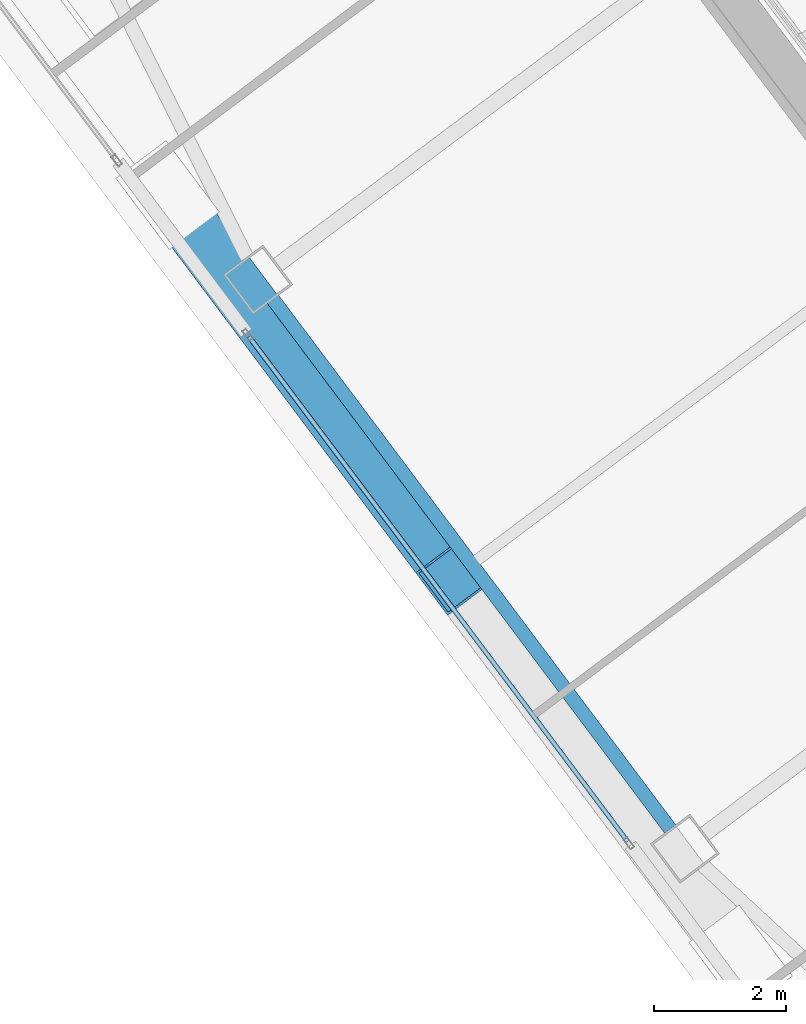
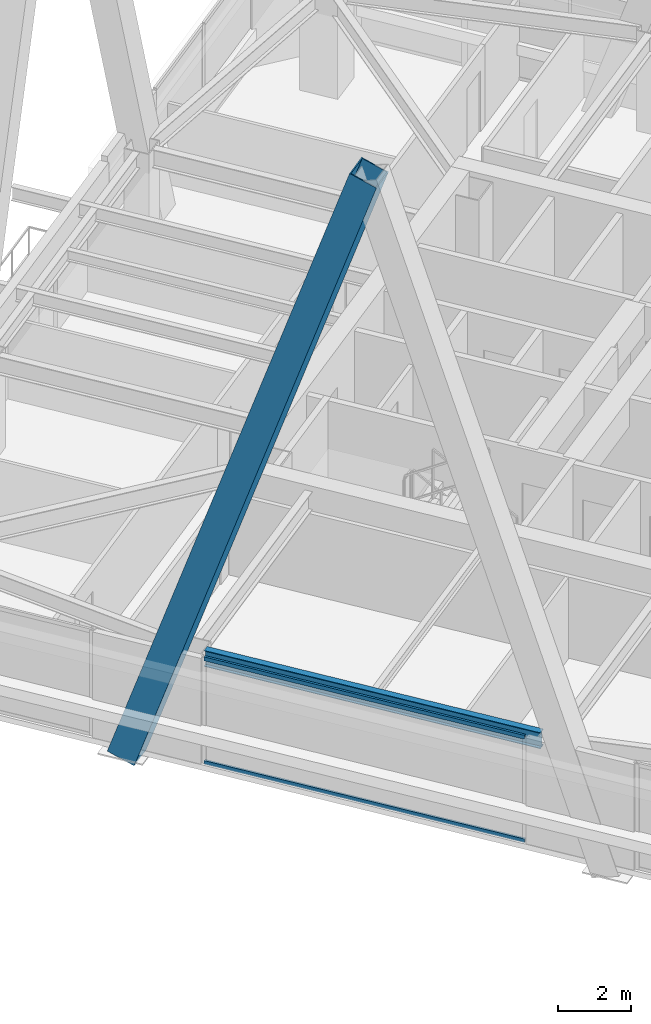
# One storey, part 24 of 55: 3 members, 1 beam, 1 element without a shape of its own.
"""IFC4 building model written with IfcOpenShell, lengths in metres."""

from ifc_helpers import new_model, si_unit, direction, frame, origin, origin_2d, place, context, subcontext, project, spatial, hollow_rectangle, i_section, extrude, material, material_profile, profile_set, type_object, element, aggregate, save


model = new_model("IFC4")

# Units and contexts
model_context = context("Model", 3, precision=1e-05, world=origin(), true_north=direction((0.0, 1.0)))
body_context = subcontext(model_context, "Body", "Model", "MODEL_VIEW")
ifc_project = project(units=[si_unit("LENGTHUNIT", "METRE"), si_unit("AREAUNIT", "SQUARE_METRE"), si_unit("VOLUMEUNIT", "CUBIC_METRE"), si_unit("PLANEANGLEUNIT", "RADIAN"), si_unit("MASSUNIT", "GRAM", prefix="KILO")], contexts=[model_context])

# Site, building, storey
site_placement = place(None, origin())
site = spatial("IfcSite", under=ifc_project, at=site_placement, CompositionType="ELEMENT")
building_placement = place(site_placement, origin())
building = spatial("IfcBuilding", under=site, at=building_placement, Name="Tashvorn Skyway Center", CompositionType="ELEMENT")
storey_placement = place(building_placement, frame((0.0, 0.0, 178.300048828125)))
storey = spatial("IfcBuildingStorey", under=building, at=storey_placement, Name="L48", CompositionType="ELEMENT", Elevation=178.300048828125)

# Beam
ifc_material_1 = material(Name="Steel ASTM A992 Grade 50", Category="steel")
ifc_material_profile_1 = material_profile(ifc_material_1, i_section(OverallWidth=0.2109375, OverallDepth=0.5390625, WebThickness=0.01171875, FlangeThickness=0.018798828125, at=origin_2d()), Name="W21X73")
ifc_profile_set_1 = profile_set([ifc_material_profile_1], Name="Steel ASTM A992 Grade 50")
beam_type = type_object("IfcBeamType", Name="BM-SPANDREL-W21X73", PredefinedType="SPANDREL", material=ifc_profile_set_1)
beam_placement = place(storey_placement, frame((98.06201171875, 26.333984375, 3.100341796875), z_axis=(0.599988351091, -0.800008736549, 0.0), x_axis=(0.800008736549, 0.599988351091, 0.0)))
element("IfcBeam", 1, at=beam_placement, inside=storey, type_object=beam_type, Name="Tower 2 L48 Spandrel Beam 11", PredefinedType="SPANDREL", context=body_context, shape_type="SweptSolid", body=[
    extrude(i_section(OverallWidth=0.2109375, OverallDepth=0.5390625, WebThickness=0.01171875, FlangeThickness=0.018798828125, at=origin_2d()), origin(), (0.0, 0.0, 1.0), 10.06005859375),
])

# Curtain wall, members
ifc_material_2 = material(Name="Thermally broken bronze-anodized aluminium 6063-T6", Category="aluminium")
curtain_wall_type = type_object("IfcCurtainWallType", Name="CW-CW-Z4", PredefinedType="NOTDEFINED", material=ifc_material_2)
curtain_wall_placement = place(storey_placement, origin())
curtain_wall = element("IfcCurtainWall", 2, at=curtain_wall_placement, inside=storey, type_object=curtain_wall_type, Name="Tower 2 L48 West Unitised Curtain Wall Glazing Group 2", PredefinedType="NOTDEFINED")
ifc_material_profile_2 = material_profile(ifc_material_2, hollow_rectangle(XDim=0.070068359375, YDim=0.1298828125, WallThickness=0.00390625, at=origin_2d()), Name="ALU-TRAN-70x130")
ifc_profile_set_2 = profile_set([ifc_material_profile_2], Name="Thermally broken bronze-anodized aluminium 6063-T6")
member_type_1 = type_object("IfcMemberType", Name="CWT-CW-Z4", PredefinedType="USERDEFINED", material=ifc_profile_set_2)
member_1_placement = place(storey_placement, frame((103.449951171875, 18.10009765625, 0.034912109375), z_axis=(-0.600012232595, 0.799990825408, 0.0), x_axis=(-0.799990825408, -0.600012232595, 0.0)))
member_1 = element("IfcMember", 3, at=member_1_placement, type_object=member_type_1, Name="CW-Z4 transom 1.1", ObjectType="TRANSOM", PredefinedType="USERDEFINED", context=body_context, shape_type="SweptSolid", body=[
    extrude(hollow_rectangle(XDim=0.070068359375, YDim=0.1298828125, WallThickness=0.00390625, at=origin_2d()), origin(), (0.0, 0.0, 1.0), 9.579833984375),
])
member_2_placement = place(storey_placement, frame((103.449951171875, 18.10009765625, 3.514892578125), z_axis=(-0.600012232595, 0.799990825408, 0.0), x_axis=(-0.799990825408, -0.600012232595, 0.0)))
member_2 = element("IfcMember", 4, at=member_2_placement, type_object=member_type_1, Name="CW-Z4 transom 1.2", ObjectType="TRANSOM", PredefinedType="USERDEFINED", context=body_context, shape_type="SweptSolid", body=[
    extrude(hollow_rectangle(XDim=0.070068359375, YDim=0.1298828125, WallThickness=0.00390625, at=origin_2d()), origin(), (0.0, 0.0, 1.0), 9.579833984375),
])
aggregate(curtain_wall, [member_1, member_2])

# Member
ifc_material_3 = material(Name="Steel ASTM A572 Grade 50", Category="steel")
ifc_material_profile_3 = material_profile(ifc_material_3, hollow_rectangle(XDim=0.85009765625, YDim=0.85009765625, WallThickness=0.034912109375, at=origin_2d()), Name="BOX850x850x35")
ifc_profile_set_3 = profile_set([ifc_material_profile_3], Name="Steel ASTM A572 Grade 50")
member_type_2 = type_object("IfcMemberType", Name="MEM-MB-850", PredefinedType="BRACE", material=ifc_profile_set_3)
member_3_placement = place(storey_placement, frame((96.466064453125, 27.912109375, -0.449951171875), z_axis=(0.192517080634, -0.256700246092, 0.947123095126), x_axis=(0.800012122763, 0.599983835976, 0.0)))
element("IfcMember", 5, at=member_3_placement, inside=storey, type_object=member_type_2, Name="Tower 2 Zone 4 W Chevron Mega-Brace L2", PredefinedType="BRACE", context=body_context, shape_type="SweptSolid", body=[
    extrude(hollow_rectangle(XDim=0.85009765625, YDim=0.85009765625, WallThickness=0.034912109375, at=origin_2d()), origin(), (0.0, 0.0, 1.0), 22.5947265625),
])

save(model, "model.ifc")
